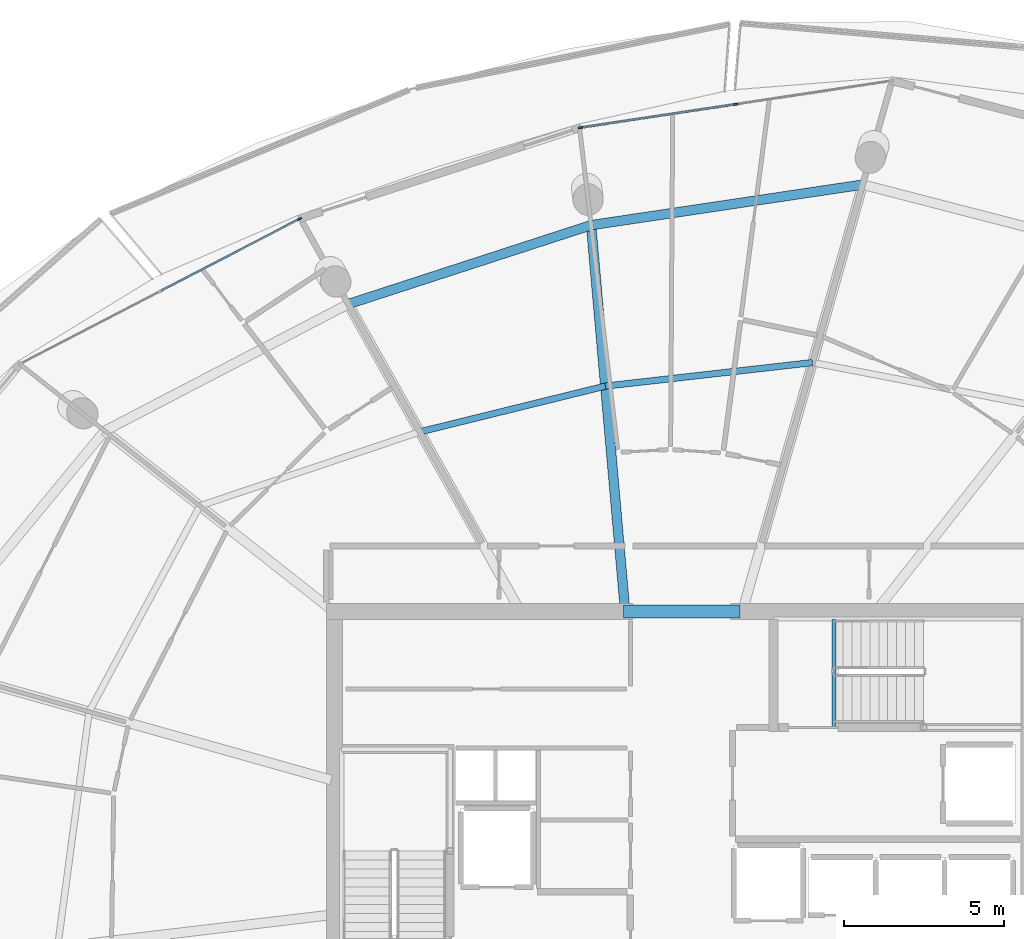
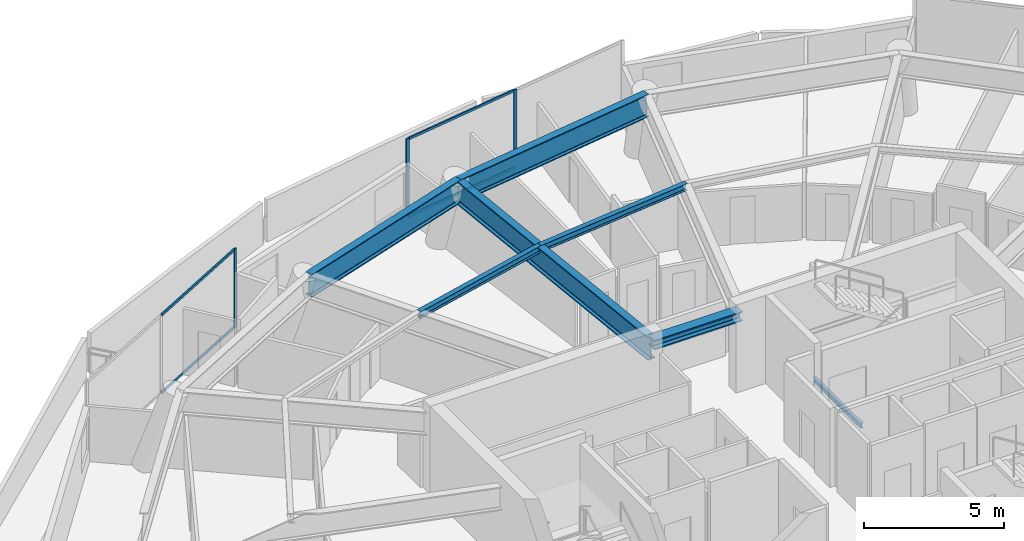
# One storey, part 12 of 27: 7 beams, 7 members, 2 elements without a shape of their own.
"""IFC4 building model written with IfcOpenShell, lengths in metres."""

from ifc_helpers import new_model, si_unit, direction, frame, origin, origin_2d, place, context, subcontext, project, spatial, rectangle, i_section, extrude, material, layer, layer_set, material_profile, profile_set, type_object, element, aggregate, save


model = new_model("IFC4")

# Units and contexts
model_context = context("Model", 3, precision=1e-05, world=origin(), true_north=direction((0.0, 1.0)))
body_context = subcontext(model_context, "Body", "Model", "MODEL_VIEW")
ifc_project = project(units=[si_unit("LENGTHUNIT", "METRE"), si_unit("AREAUNIT", "SQUARE_METRE"), si_unit("VOLUMEUNIT", "CUBIC_METRE"), si_unit("PLANEANGLEUNIT", "RADIAN"), si_unit("MASSUNIT", "GRAM", prefix="KILO")], contexts=[model_context])

# Site, building, storey
site_placement = place(None, origin())
site = spatial("IfcSite", under=ifc_project, at=site_placement, CompositionType="ELEMENT")
building_placement = place(site_placement, origin())
building = spatial("IfcBuilding", under=site, at=building_placement, Name="Kazma Halo Residences", CompositionType="ELEMENT")
storey_placement = place(building_placement, frame((0.0, 0.0, 306.0)))
storey = spatial("IfcBuildingStorey", under=building, at=storey_placement, Name="L77", CompositionType="ELEMENT", Elevation=306.0)

# Beams
ifc_material_1 = material(Name="Steel S355", Category="steel")
ifc_material_profile_1 = material_profile(ifc_material_1, i_section(OverallWidth=0.408935546875, OverallDepth=0.425048828125, WebThickness=0.03271484375, FlangeThickness=0.052490234375, FilletRadius=0.02001953125, at=origin_2d()), Name="W360x421")
ifc_profile_set_1 = profile_set([ifc_material_profile_1], Name="Steel S355")
beam_type_1 = type_object("IfcBeamType", Name="BM-CORE-W360H", PredefinedType="BEAM", material=ifc_profile_set_1)
beam_1_placement = place(storey_placement, frame((46.60009765625, 50.25, 3.237548828125), z_axis=(1.0, 0.0, 0.0), x_axis=(0.0, 1.0, 0.0)))
element("IfcBeam", 1, at=beam_1_placement, inside=storey, type_object=beam_type_1, Name="L77 core coupling beam N", PredefinedType="BEAM", context=body_context, shape_type="SweptSolid", body=[
    extrude(i_section(OverallWidth=0.408935546875, OverallDepth=0.425048828125, WebThickness=0.03271484375, FlangeThickness=0.052490234375, FilletRadius=0.02001953125, at=origin_2d()), origin(), (0.0, 0.0, 1.0), 3.64990234375),
])
ifc_material_profile_2 = material_profile(ifc_material_1, i_section(OverallWidth=0.202880859375, OverallDepth=0.302978515625, WebThickness=0.007568359375, FlangeThickness=0.01318359375, FilletRadius=0.013916015625, at=origin_2d()), Name="W310x60")
ifc_profile_set_2 = profile_set([ifc_material_profile_2], Name="Steel S355")
beam_type_2 = type_object("IfcBeamType", Name="BM-SEC-W310A", PredefinedType="JOIST", material=ifc_profile_set_2)
beam_2_placement = place(storey_placement, frame((52.525390625, 58.0458984375, 3.298583984375), z_axis=(-0.99361973437, -0.11278219483, 0.0), x_axis=(0.11278219483, -0.99361973437, 0.0)))
element("IfcBeam", 2, at=beam_2_placement, inside=storey, type_object=beam_type_2, Name="L77 circumferential floor joist 03", PredefinedType="JOIST", context=body_context, shape_type="SweptSolid", body=[
    extrude(i_section(OverallWidth=0.202880859375, OverallDepth=0.302978515625, WebThickness=0.007568359375, FlangeThickness=0.01318359375, FilletRadius=0.013916015625, at=origin_2d()), origin(), (0.0, 0.0, 1.0), 6.531005859375),
])
beam_3_placement = place(storey_placement, frame((46.0361328125, 57.309326171875, 3.298583984375), z_axis=(-0.970882248636, -0.239557215053, 0.0), x_axis=(0.239557215053, -0.970882248636, 0.0)))
element("IfcBeam", 3, at=beam_3_placement, inside=storey, type_object=beam_type_2, Name="L77 circumferential floor joist 04", PredefinedType="JOIST", context=body_context, shape_type="SweptSolid", body=[
    extrude(i_section(OverallWidth=0.202880859375, OverallDepth=0.302978515625, WebThickness=0.007568359375, FlangeThickness=0.01318359375, FilletRadius=0.013916015625, at=origin_2d()), origin(), (0.0, 0.0, 1.0), 5.981201171875),
])
ifc_material_profile_3 = material_profile(ifc_material_1, i_section(OverallWidth=0.302001953125, OverallDepth=1.01806640625, WebThickness=0.021484375, FlangeThickness=0.049072265625, FilletRadius=0.028076171875, at=origin_2d()), Name="W1000x443")
ifc_profile_set_3 = profile_set([ifc_material_profile_3], Name="Steel S355")
beam_type_3 = type_object("IfcBeamType", Name="BM-TRANS-W1000A", PredefinedType="BEAM", material=ifc_profile_set_3)
beam_4_placement = place(storey_placement, frame((46.64990234375, 50.35009765625, 2.94091796875), z_axis=(-0.087863642482, 0.996132511431, 0.0), x_axis=(-0.996132511431, -0.087863642482, 0.0)))
element("IfcBeam", 4, at=beam_4_placement, inside=storey, type_object=beam_type_3, Name="L77 podium radial transfer girder 04", PredefinedType="BEAM", context=body_context, shape_type="SweptSolid", body=[
    extrude(i_section(OverallWidth=0.302001953125, OverallDepth=1.01806640625, WebThickness=0.021484375, FlangeThickness=0.049072265625, FilletRadius=0.028076171875, at=origin_2d()), origin(), (0.0, 0.0, 1.0), 12.04541015625),
])
ifc_material_profile_4 = material_profile(ifc_material_1, i_section(OverallWidth=0.300048828125, OverallDepth=1.0, WebThickness=0.01904296875, FlangeThickness=0.0400390625, FilletRadius=0.02587890625, at=origin_2d()), Name="W1000x371")
ifc_profile_set_4 = profile_set([ifc_material_profile_4], Name="Steel S355")
beam_type_4 = type_object("IfcBeamType", Name="BM-TRANS-W1000B", PredefinedType="BEAM", material=ifc_profile_set_4)
beam_5_placement = place(storey_placement, frame((54.09716796875, 63.618896484375, 2.949951171875), z_axis=(-0.989035457079, -0.147678247014, 0.0), x_axis=(0.147678247014, -0.989035457079, 0.0)))
element("IfcBeam", 5, at=beam_5_placement, inside=storey, type_object=beam_type_4, Name="L77 perimeter ring beam 03", PredefinedType="BEAM", context=body_context, shape_type="SweptSolid", body=[
    extrude(i_section(OverallWidth=0.300048828125, OverallDepth=1.0, WebThickness=0.01904296875, FlangeThickness=0.0400390625, FilletRadius=0.02587890625, at=origin_2d()), origin(), (0.0, 0.0, 1.0), 8.599853515625),
])
beam_6_placement = place(storey_placement, frame((45.591552734375, 62.348876953125, 2.949951171875), z_axis=(-0.95105314132, -0.309027381286, 0.0), x_axis=(0.309027381286, -0.95105314132, 0.0)))
element("IfcBeam", 6, at=beam_6_placement, inside=storey, type_object=beam_type_4, Name="L77 perimeter ring beam 04", PredefinedType="BEAM", context=body_context, shape_type="SweptSolid", body=[
    extrude(i_section(OverallWidth=0.300048828125, OverallDepth=1.0, WebThickness=0.01904296875, FlangeThickness=0.0400390625, FilletRadius=0.02587890625, at=origin_2d()), origin(), (0.0, 0.0, 1.0), 7.9951171875),
])
ifc_material_profile_5 = material_profile(ifc_material_1, i_section(OverallWidth=0.133056640625, OverallDepth=0.20703125, WebThickness=0.005859375, FlangeThickness=0.00830078125, FilletRadius=0.010009765625, at=origin_2d()), Name="W200x26.6")
ifc_profile_set_5 = profile_set([ifc_material_profile_5], Name="Steel S355")
beam_type_5 = type_object("IfcBeamType", Name="BM-TRIM-W200", PredefinedType="BEAM", material=ifc_profile_set_5)
beam_7_placement = place(storey_placement, frame((53.199951171875, 46.6201171875, -0.510009765625), z_axis=(0.0, 1.0, 0.0), x_axis=(-1.0, 0.0, 0.0)))
element("IfcBeam", 7, at=beam_7_placement, inside=storey, type_object=beam_type_5, Name="L77 ST-02 floor landing support beam", PredefinedType="BEAM", context=body_context, shape_type="SweptSolid", body=[
    extrude(i_section(OverallWidth=0.133056640625, OverallDepth=0.20703125, WebThickness=0.005859375, FlangeThickness=0.00830078125, FilletRadius=0.010009765625, at=origin_2d()), origin(), (0.0, 0.0, 1.0), 3.3798828125),
])

# Curtain wall, members
ifc_material_2 = material(Name="Aluminium AW-6063 T6 and Triple-Silver Low-E Glass", Category="aluminium")
ifc_layer = layer(ifc_material_2, 0.139892578125)
ifc_layer_set = layer_set([ifc_layer], Name="Aluminium AW-6063 T6 and Triple-Silver Low-E Glass")
curtain_wall_type = type_object("IfcCurtainWallType", Name="CW-SYS-5", PredefinedType="NOTDEFINED", material=ifc_layer_set)
curtain_wall_1_placement = place(storey_placement, origin())
curtain_wall_1 = element("IfcCurtainWall", 8, at=curtain_wall_1_placement, inside=storey, type_object=curtain_wall_type, Name="L77 unitised curtain wall B03", PredefinedType="NOTDEFINED")
ifc_material_3 = material(Name="Aluminium AW-6063 T6", Category="aluminium")
ifc_material_profile_6 = material_profile(ifc_material_3, rectangle(XDim=0.06005859375, YDim=0.139892578125, at=origin_2d()), Name="CWM-60x140")
ifc_profile_set_6 = profile_set([ifc_material_profile_6], Name="Aluminium AW-6063 T6")
member_type_1 = type_object("IfcMemberType", Name="CW-SYS-5-MUL", PredefinedType="MULLION", material=ifc_profile_set_6)
member_1_placement = place(storey_placement, frame((50.122314453125, 66.1337890625, 0.0), z_axis=(0.0, 0.0, 1.0), x_axis=(0.148747721629, -0.98887517681, 0.0)))
member_1 = element("IfcMember", 9, at=member_1_placement, type_object=member_type_1, Name="CWS-5 mullion 2", PredefinedType="MULLION", context=body_context, shape_type="SweptSolid", body=[
    extrude(rectangle(XDim=0.06005859375, YDim=0.139892578125, at=origin_2d()), origin(), (0.0, 0.0, 1.0), 3.449951171875),
])
member_2_placement = place(storey_placement, frame((45.26025390625, 65.40234375, 0.0), z_axis=(0.0, 0.0, 1.0), x_axis=(0.148747721629, -0.98887517681, 0.0)))
member_2 = element("IfcMember", 10, at=member_2_placement, type_object=member_type_1, Name="CWS-5 mullion 3", PredefinedType="MULLION", context=body_context, shape_type="SweptSolid", body=[
    extrude(rectangle(XDim=0.06005859375, YDim=0.139892578125, at=origin_2d()), origin(), (0.0, 0.0, 1.0), 3.449951171875),
])

# Curtain wall, member
curtain_wall_2_placement = place(storey_placement, origin())
curtain_wall_2 = element("IfcCurtainWall", 11, at=curtain_wall_2_placement, inside=storey, type_object=curtain_wall_type, Name="L77 unitised curtain wall B05", PredefinedType="NOTDEFINED")
member_3_placement = place(storey_placement, frame((36.460693359375, 62.54345703125, 0.0), z_axis=(0.0, 0.0, 1.0), x_axis=(0.460915397592, -0.88744408064, 0.0)))
member_3 = element("IfcMember", 12, at=member_3_placement, type_object=member_type_1, Name="CWS-5 mullion 1", PredefinedType="MULLION", context=body_context, shape_type="SweptSolid", body=[
    extrude(rectangle(XDim=0.06005859375, YDim=0.139892578125, at=origin_2d()), origin(), (0.0, 0.0, 1.0), 3.449951171875),
])

# Member
ifc_material_profile_7 = material_profile(ifc_material_3, rectangle(XDim=0.06005859375, YDim=0.10498046875, at=origin_2d()), Name="CWT-60x105")
ifc_profile_set_7 = profile_set([ifc_material_profile_7], Name="Aluminium AW-6063 T6")
member_type_2 = type_object("IfcMemberType", Name="CW-SYS-5-TRN", PredefinedType="USERDEFINED", material=ifc_profile_set_7)
member_4_placement = place(storey_placement, frame((50.092529296875, 66.12939453125, 0.030029296875), z_axis=(-0.988874689142, -0.14875096361, 0.0), x_axis=(0.14875096361, -0.988874689142, 0.0)))
member_4 = element("IfcMember", 13, at=member_4_placement, type_object=member_type_2, Name="CWS-5 transom 2.1", ObjectType="TRANSOM", PredefinedType="USERDEFINED", context=body_context, shape_type="SweptSolid", body=[
    extrude(rectangle(XDim=0.06005859375, YDim=0.10498046875, at=origin_2d()), origin(), (0.0, 0.0, 1.0), 4.8564453125),
])

member_5_placement = place(storey_placement, frame((50.092529296875, 66.12939453125, 3.419921875), z_axis=(-0.988874689142, -0.14875096361, 0.0), x_axis=(0.14875096361, -0.988874689142, 0.0)))
member_5 = element("IfcMember", 14, at=member_5_placement, type_object=member_type_2, Name="CWS-5 transom 2.2", ObjectType="TRANSOM", PredefinedType="USERDEFINED", context=body_context, shape_type="SweptSolid", body=[
    extrude(rectangle(XDim=0.06005859375, YDim=0.10498046875, at=origin_2d()), origin(), (0.0, 0.0, 1.0), 4.8564453125),
])

aggregate(curtain_wall_1, [member_1, member_2, member_4, member_5])

member_6_placement = place(storey_placement, frame((36.43408203125, 62.529541015625, 0.030029296875), z_axis=(-0.887444675026, -0.460914253162, 0.0), x_axis=(0.460914253162, -0.887444675026, 0.0)))
member_6 = element("IfcMember", 15, at=member_6_placement, type_object=member_type_2, Name="CWS-5 transom 1.1", ObjectType="TRANSOM", PredefinedType="USERDEFINED", context=body_context, shape_type="SweptSolid", body=[
    extrude(rectangle(XDim=0.06005859375, YDim=0.10498046875, at=origin_2d()), origin(), (0.0, 0.0, 1.0), 4.856689453125),
])

member_7_placement = place(storey_placement, frame((36.43408203125, 62.529541015625, 3.419921875), z_axis=(-0.887444675026, -0.460914253162, 0.0), x_axis=(0.460914253162, -0.887444675026, 0.0)))
member_7 = element("IfcMember", 16, at=member_7_placement, type_object=member_type_2, Name="CWS-5 transom 1.2", ObjectType="TRANSOM", PredefinedType="USERDEFINED", context=body_context, shape_type="SweptSolid", body=[
    extrude(rectangle(XDim=0.06005859375, YDim=0.10498046875, at=origin_2d()), origin(), (0.0, 0.0, 1.0), 4.856689453125),
])

aggregate(curtain_wall_2, [member_3, member_6, member_7])

save(model, "model.ifc")
